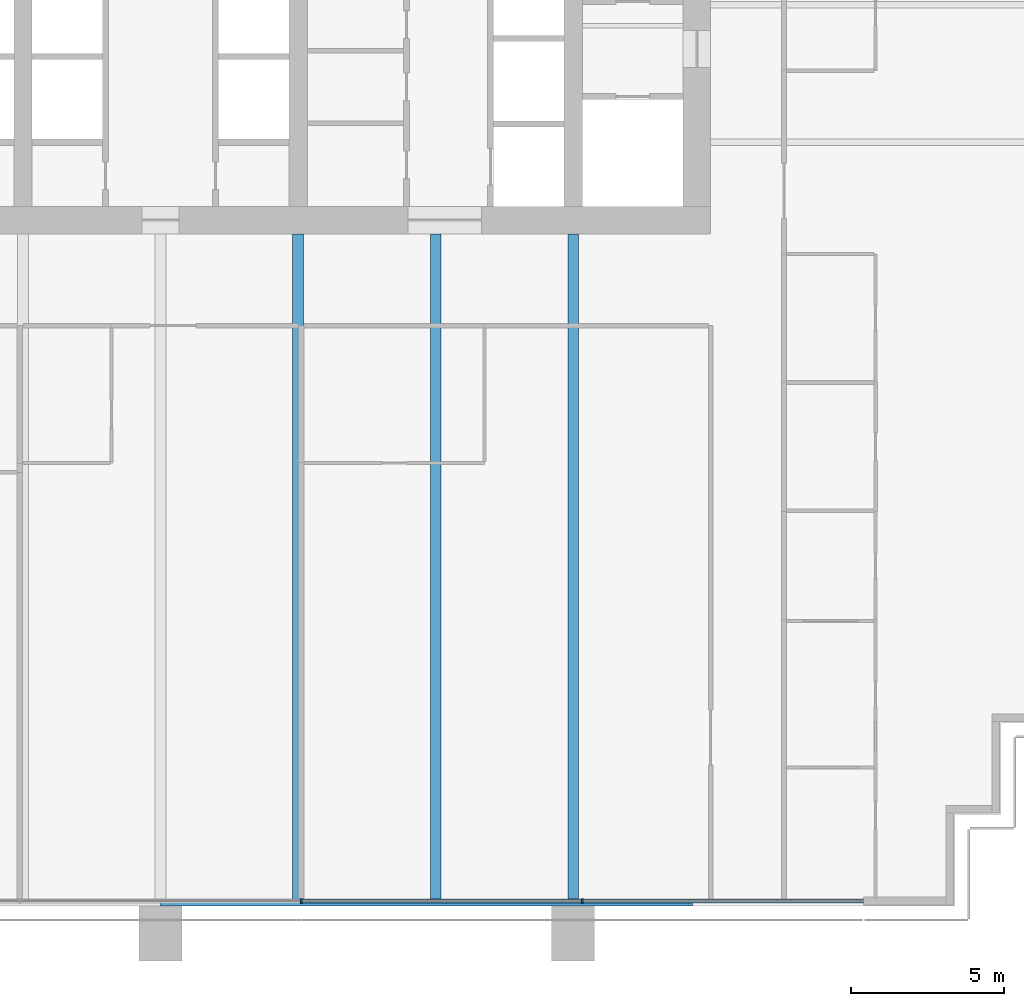
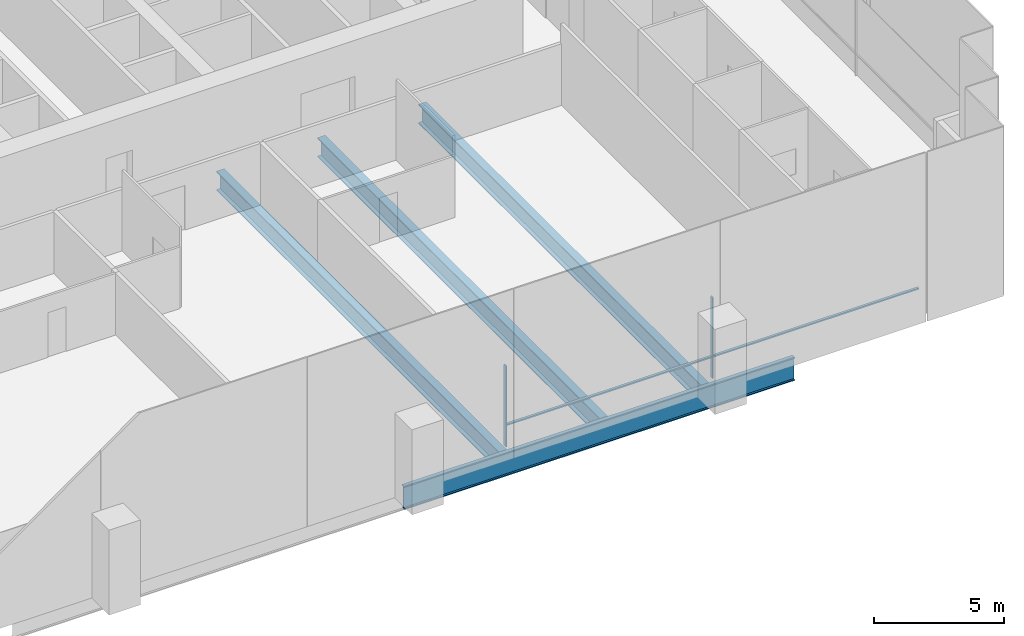
# One storey, part 5 of 17: 4 beams, 4 members, 1 element without a shape of its own.
"""IFC4 building model written with IfcOpenShell, lengths in metres."""

from ifc_helpers import new_model, si_unit, direction, frame, origin, origin_2d, place, context, subcontext, project, spatial, rectangle, i_section, extrude, material, material_profile, profile_set, type_object, element, aggregate, save


model = new_model("IFC4")

# Units and contexts
model_context = context("Model", 3, precision=1e-05, world=origin(), true_north=direction((0.0, 1.0)))
body_context = subcontext(model_context, "Body", "Model", "MODEL_VIEW")
ifc_project = project(units=[si_unit("LENGTHUNIT", "METRE"), si_unit("AREAUNIT", "SQUARE_METRE"), si_unit("VOLUMEUNIT", "CUBIC_METRE"), si_unit("PLANEANGLEUNIT", "RADIAN"), si_unit("MASSUNIT", "GRAM", prefix="KILO")], contexts=[model_context])

# Site, building, storey
site_placement = place(None, origin())
site = spatial("IfcSite", under=ifc_project, at=site_placement, CompositionType="ELEMENT")
building_placement = place(site_placement, origin())
building = spatial("IfcBuilding", under=site, at=building_placement, Name="Rattan Terrace Tower", CompositionType="ELEMENT")
storey_placement = place(building_placement, frame((0.0, 0.0, 138.10009765625)))
storey = spatial("IfcBuildingStorey", under=building, at=storey_placement, Name="L31", CompositionType="ELEMENT", Elevation=138.10009765625)

# Curtain wall, members
ifc_material_1 = material(Name="Aluminium and glass", Category="aluminium")
curtain_wall_type = type_object("IfcCurtainWallType", Name="Facade Unitised Curtain Wall", PredefinedType="NOTDEFINED", material=ifc_material_1)
curtain_wall_placement = place(storey_placement, origin())
curtain_wall = element("IfcCurtainWall", 1, at=curtain_wall_placement, inside=storey, type_object=curtain_wall_type, Name="Curtain wall L31-4", PredefinedType="NOTDEFINED")
ifc_material_2 = material(Name="Aluminium", Category="aluminium")
ifc_material_profile_1 = material_profile(ifc_material_2, rectangle(XDim=0.06005859375, YDim=0.159912109375, at=origin_2d()), Name="Aluminium 60x160")
ifc_profile_set_1 = profile_set([ifc_material_profile_1], Name="Aluminium")
member_type_1 = type_object("IfcMemberType", Name="Facade CW Mullion 60x160", PredefinedType="MULLION", material=ifc_profile_set_1)
member_1_placement = place(storey_placement, frame((4.60302734375, -29.330078125, 0.0), z_axis=(0.0, 0.0, 1.0), x_axis=(1.0, 0.0, 0.0)))
member_1 = element("IfcMember", 2, at=member_1_placement, type_object=member_type_1, Name="Mullion cwl-L31-004.4", PredefinedType="MULLION", context=body_context, shape_type="SweptSolid", body=[
    extrude(rectangle(XDim=0.06005859375, YDim=0.159912109375, at=origin_2d()), origin(), (0.0, 0.0, 1.0), 3.7998046875),
])
member_2_placement = place(storey_placement, frame((13.803955078125, -29.330078125, 0.0), z_axis=(0.0, 0.0, 1.0), x_axis=(1.0, 0.0, 0.0)))
member_2 = element("IfcMember", 3, at=member_2_placement, type_object=member_type_1, Name="Mullion cwl-L31-004.5", PredefinedType="MULLION", context=body_context, shape_type="SweptSolid", body=[
    extrude(rectangle(XDim=0.06005859375, YDim=0.159912109375, at=origin_2d()), origin(), (0.0, 0.0, 1.0), 3.7998046875),
])
ifc_material_3 = material(Name="Aluminium", Category="aluminium")
ifc_material_profile_2 = material_profile(ifc_material_3, rectangle(XDim=0.1201171875, YDim=0.06005859375, at=origin_2d()), Name="Aluminium 120x60")
ifc_profile_set_2 = profile_set([ifc_material_profile_2], Name="Aluminium")
member_type_2 = type_object("IfcMemberType", Name="Facade CW Transom 120x60", PredefinedType="USERDEFINED", material=ifc_profile_set_2)
member_3_placement = place(storey_placement, frame((4.633056640625, -29.330078125, 1.0), z_axis=(1.0, 0.0, 0.0), x_axis=(0.0, 1.0, 0.0)))
member_3 = element("IfcMember", 4, at=member_3_placement, type_object=member_type_2, Name="Transom cwl-L31-004.4", ObjectType="TRANSOM", PredefinedType="USERDEFINED", context=body_context, shape_type="SweptSolid", body=[
    extrude(rectangle(XDim=0.1201171875, YDim=0.06005859375, at=origin_2d()), origin(), (0.0, 0.0, 1.0), 9.140869140625),
])
member_4_placement = place(storey_placement, frame((13.833984375, -29.330078125, 1.0), z_axis=(1.0, 0.0, 0.0), x_axis=(0.0, 1.0, 0.0)))
member_4 = element("IfcMember", 5, at=member_4_placement, type_object=member_type_2, Name="Transom cwl-L31-004.5", ObjectType="TRANSOM", PredefinedType="USERDEFINED", context=body_context, shape_type="SweptSolid", body=[
    extrude(rectangle(XDim=0.1201171875, YDim=0.06005859375, at=origin_2d()), origin(), (0.0, 0.0, 1.0), 9.166015625),
])
aggregate(curtain_wall, [member_1, member_2, member_3, member_4])

# Beams
ifc_material_4 = material(Name="Steel S460", Category="steel")
ifc_material_profile_3 = material_profile(ifc_material_4, i_section(OverallWidth=0.179931640625, OverallDepth=1.10009765625, WebThickness=0.01611328125, FlangeThickness=0.050048828125, at=origin_2d()), Name="PG 1100x180-16-50")
ifc_profile_set_3 = profile_set([ifc_material_profile_3], Name="Steel S460")
beam_type_1 = type_object("IfcBeamType", Name="Frame edge girder PG 1100x180-16-50", PredefinedType="SPANDREL", material=ifc_profile_set_3)
beam_placement = place(storey_placement, frame((17.39990234375, -29.409912109375, -0.75), z_axis=(-1.0, 0.0, 0.0), x_axis=(0.0, -1.0, 0.0)))
element("IfcBeam", 6, at=beam_placement, inside=storey, type_object=beam_type_1, Name="gdr-L31-002", PredefinedType="SPANDREL", context=body_context, shape_type="SweptSolid", body=[
    extrude(i_section(OverallWidth=0.179931640625, OverallDepth=1.10009765625, WebThickness=0.01611328125, FlangeThickness=0.050048828125, at=origin_2d()), origin(), (0.0, 0.0, 1.0), 17.39990234375),
])
ifc_material_5 = material(Name="Steel S460", Category="steel")
ifc_material_profile_4 = material_profile(ifc_material_5, i_section(OverallWidth=0.35009765625, OverallDepth=0.89990234375, WebThickness=0.013916015625, FlangeThickness=0.0400390625, at=origin_2d()), Name="PG 900x350-14-40")
ifc_profile_set_4 = profile_set([ifc_material_profile_4], Name="Steel S460")
beam_type_2 = type_object("IfcBeamType", Name="Frame floor beam PG 900x350-14-40", PredefinedType="JOIST", material=ifc_profile_set_4)
for number, where, z_axis, x_axis, name in (
    (7, (4.5, -29.320068359375, -0.650146484375), (0.0, 1.0, 0.0), (-1.0, 0.0, 0.0), "bm-L31-007"),
    (8, (9.0, -29.320068359375, -0.650146484375), (0.0, 1.0, 0.0), (-1.0, 0.0, 0.0), "bm-L31-008"),
    (9, (13.5, -29.320068359375, -0.650146484375), (0.0, 1.0, 0.0), (-1.0, 0.0, 0.0), "bm-L31-009"),
):
    element("IfcBeam", number, at=place(storey_placement, frame(where, z_axis=z_axis, x_axis=x_axis)), inside=storey, type_object=beam_type_2, Name=name, PredefinedType="JOIST", context=body_context, shape_type="SweptSolid", body=[
        extrude(i_section(OverallWidth=0.35009765625, OverallDepth=0.89990234375, WebThickness=0.013916015625, FlangeThickness=0.0400390625, at=origin_2d()), origin(), (0.0, 0.0, 1.0), 21.820068359375),
    ])

save(model, "model.ifc")
